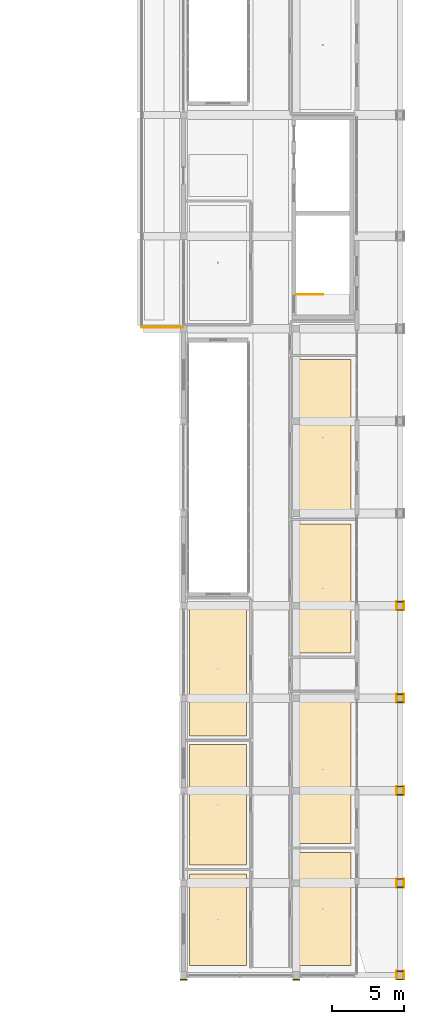
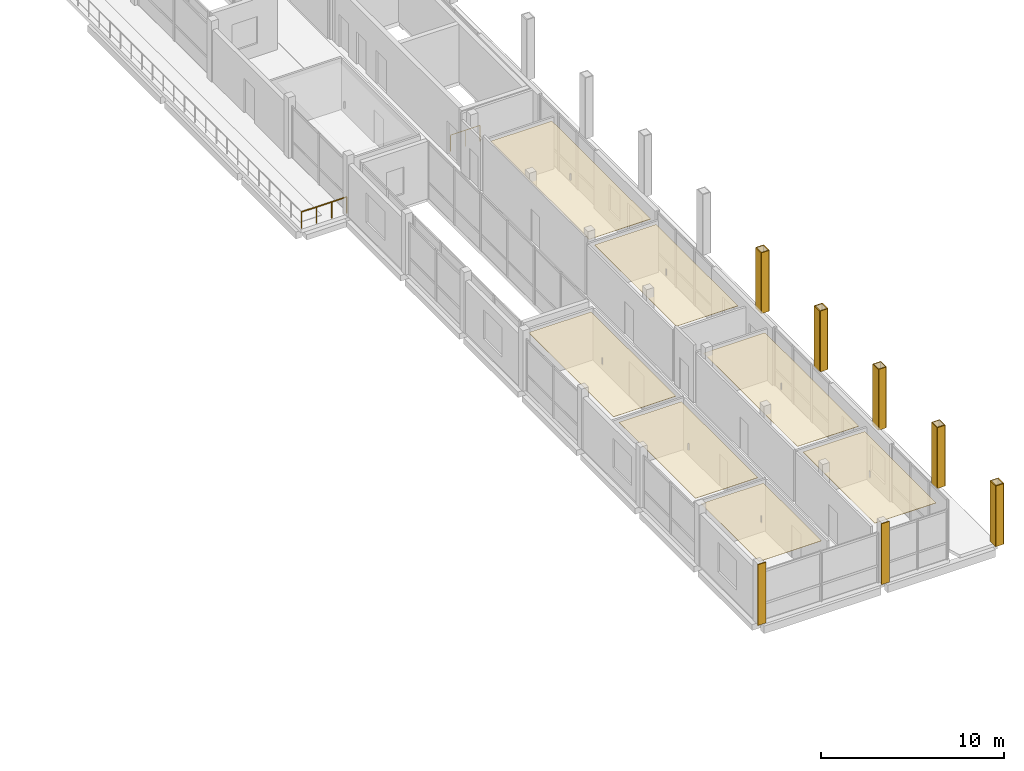
# One storey, part 45 of 48: 29 coverings, 2 railings.
"""IFC4 building model written with IfcOpenShell, lengths in metres."""

from ifc_helpers import new_model, si_unit, derived_unit, direction, frame, origin, origin_2d, place, context, subcontext, project, spatial, polyline, rectangle, circle, outline, extrude, material, layer, layer_set, type_object, element, save


model = new_model("IFC4")

# Units and contexts
model_context = context("Model", 3, precision=1e-05, world=origin(), true_north=direction((0.0, 1.0)))
body_context = subcontext(model_context, "Body", "Model", "MODEL_VIEW")
ifc_project = project(units=[si_unit("LENGTHUNIT", "METRE"), si_unit("AREAUNIT", "SQUARE_METRE"), si_unit("VOLUMEUNIT", "CUBIC_METRE"), si_unit("PLANEANGLEUNIT", "RADIAN"), si_unit("MASSUNIT", "GRAM", prefix="KILO"), derived_unit("THERMALTRANSMITTANCEUNIT", [(si_unit("POWERUNIT", "WATT"), 1), (si_unit("LENGTHUNIT", "METRE"), -2), (si_unit("THERMODYNAMICTEMPERATUREUNIT", "KELVIN"), -1)])], contexts=[model_context])

# Site, building, storey
site_placement = place(None, origin())
site = spatial("IfcSite", under=ifc_project, at=site_placement, CompositionType="ELEMENT")
building_placement = place(site_placement, origin())
building = spatial("IfcBuilding", under=site, at=building_placement, Name="Braskholm Square Health Centre", CompositionType="ELEMENT")
storey_placement = place(building_placement, frame((0.0, 0.0, 17.550048828125)))
storey = spatial("IfcBuildingStorey", under=building, at=storey_placement, Name="L05", CompositionType="ELEMENT", Elevation=17.550048828125)

# Coverings
ifc_material_1 = material(Name="Fire-rated gypsum board barrier")
ifc_layer_1 = layer(ifc_material_1, 0.02490234375)
ifc_layer_set_1 = layer_set([ifc_layer_1], Name="Fire-rated gypsum board barrier")
covering_type_1 = type_object("IfcCoveringType", Name="AcousticClinicalCeilingTile", PredefinedType="CEILING", material=ifc_layer_set_1)
covering_1_placement = place(storey_placement, frame((0.0, 0.0, 3.405029296875)))
element("IfcCovering", 1, at=covering_1_placement, inside=storey, type_object=covering_type_1, Name="Acoustic ceiling L05-270", PredefinedType="CEILING", context=body_context, shape_type="SweptSolid", body=[
    extrude(outline(polyline([(156.5, 4.89990234375), (160.3798828125, 4.89990234375), (160.3798828125, 12.72998046875), (156.5, 12.72998046875), (156.5, 4.89990234375)])), origin(), (0.0, 0.0, 1.0), 0.02490234375),
])
covering_2_placement = place(storey_placement, frame((0.0, 0.0, 3.405029296875)))
element("IfcCovering", 2, at=covering_2_placement, inside=storey, type_object=covering_type_1, Name="Acoustic ceiling L05-271", PredefinedType="CEILING", context=body_context, shape_type="SweptSolid", body=[
    extrude(outline(polyline([(156.5, 13.330078125), (160.3798828125, 13.330078125), (160.3798828125, 23.590087890625), (156.5, 23.590087890625), (156.5, 13.330078125)])), origin(), (0.0, 0.0, 1.0), 0.02490234375),
])
covering_3_placement = place(storey_placement, frame((0.0, 0.0, 3.405029296875)))
element("IfcCovering", 3, at=covering_3_placement, inside=storey, type_object=covering_type_1, Name="Acoustic ceiling L05-273", PredefinedType="CEILING", context=body_context, shape_type="SweptSolid", body=[
    extrude(outline(polyline([(156.5, 26.5400390625), (160.3798828125, 26.5400390625), (160.3798828125, 35.47998046875), (156.5, 35.47998046875), (156.5, 26.5400390625)])), origin(), (0.0, 0.0, 1.0), 0.02490234375),
])
covering_4_placement = place(storey_placement, frame((0.0, 0.0, 3.405029296875)))
element("IfcCovering", 4, at=covering_4_placement, inside=storey, type_object=covering_type_1, Name="Acoustic ceiling L05-274", PredefinedType="CEILING", context=body_context, shape_type="SweptSolid", body=[
    extrude(outline(polyline([(156.5, 36.080078125), (160.3798828125, 36.080078125), (160.3798828125, 46.85009765625), (156.5, 46.85009765625), (156.5, 36.080078125)])), origin(), (0.0, 0.0, 1.0), 0.02490234375),
])
covering_5_placement = place(storey_placement, frame((0.0, 0.0, 3.405029296875)))
element("IfcCovering", 5, at=covering_5_placement, inside=storey, type_object=covering_type_1, Name="Acoustic ceiling L05-284", PredefinedType="CEILING", context=body_context, shape_type="SweptSolid", body=[
    extrude(outline(polyline([(149.219970703125, 4.89990234375), (153.14990234375, 4.89990234375), (153.14990234375, 11.239990234375), (149.219970703125, 11.239990234375), (149.219970703125, 4.89990234375)])), origin(), (0.0, 0.0, 1.0), 0.02490234375),
])
covering_6_placement = place(storey_placement, frame((0.0, 0.0, 3.405029296875)))
element("IfcCovering", 6, at=covering_6_placement, inside=storey, type_object=covering_type_1, Name="Acoustic ceiling L05-285", PredefinedType="CEILING", context=body_context, shape_type="SweptSolid", body=[
    extrude(outline(polyline([(149.219970703125, 11.840087890625), (153.14990234375, 11.840087890625), (153.14990234375, 20.18994140625), (149.219970703125, 20.18994140625), (149.219970703125, 11.840087890625)])), origin(), (0.0, 0.0, 1.0), 0.02490234375),
])
covering_7_placement = place(storey_placement, frame((0.0, 0.0, 3.405029296875)))
element("IfcCovering", 7, at=covering_7_placement, inside=storey, type_object=covering_type_1, Name="Acoustic ceiling L05-286", PredefinedType="CEILING", context=body_context, shape_type="SweptSolid", body=[
    extrude(outline(polyline([(149.219970703125, 20.7900390625), (153.14990234375, 20.7900390625), (153.14990234375, 30.050048828125), (149.219970703125, 30.050048828125), (149.219970703125, 20.7900390625)])), origin(), (0.0, 0.0, 1.0), 0.02490234375),
])

# Railings
ifc_material_2 = material(Name="Dark patinated chevron architectural bronze", Category="aluminium")
railing_type = type_object("IfcRailingType", Name="BronzeChevronGuardrail1100", PredefinedType="GUARDRAIL", material=ifc_material_2)
railing_1_placement = place(storey_placement, frame((156.60009765625, 51.360107421875, 0.0)))
element("IfcRailing", 8, at=railing_1_placement, inside=storey, type_object=railing_type, Name="Stair ST-04 top well guardrail L05", PredefinedType="GUARDRAIL", context=body_context, shape_type="SweptSolid", body=[
    extrude(circle(Radius=0.02392578125, at=origin_2d()), frame((0.0, 0.0, 1.076171875), z_axis=(1.0, 0.0, 0.0), x_axis=(0.0, 1.0, 0.0)), (0.0, 0.0, 1.0), 1.849853515625),
    extrude(circle(Radius=0.02099609375, at=origin_2d()), origin(), (0.0, 0.0, 1.0), 1.052001953125),
    extrude(circle(Radius=0.02099609375, at=origin_2d()), frame((0.9248046875, 0.0, 0.0)), (0.0, 0.0, 1.0), 1.052001953125),
    extrude(circle(Radius=0.02099609375, at=origin_2d()), frame((1.849853515625, 0.0, 0.0)), (0.0, 0.0, 1.0), 1.052001953125),
])
railing_2_placement = place(storey_placement, frame((148.75, 49.10009765625, 0.0)))
element("IfcRailing", 9, at=railing_2_placement, inside=storey, type_object=railing_type, Name="Bronze chevron guardrail 0050 L05", PredefinedType="GUARDRAIL", context=body_context, shape_type="SweptSolid", body=[
    extrude(circle(Radius=0.02392578125, at=origin_2d()), frame((0.0, 0.0, 1.076171875), z_axis=(-1.0, 0.0, 0.0), x_axis=(0.0, -1.0, 0.0)), (0.0, 0.0, 1.0), 2.85009765625),
    extrude(circle(Radius=0.02099609375, at=origin_2d()), origin(), (0.0, 0.0, 1.0), 1.052001953125),
    extrude(circle(Radius=0.02099609375, at=origin_2d()), frame((-0.949951171875, 0.0, 0.0)), (0.0, 0.0, 1.0), 1.052001953125),
    extrude(circle(Radius=0.02099609375, at=origin_2d()), frame((-1.900146484375, 0.0, 0.0)), (0.0, 0.0, 1.0), 1.052001953125),
    extrude(circle(Radius=0.02099609375, at=origin_2d()), frame((-2.85009765625, 0.0, 0.0)), (0.0, 0.0, 1.0), 1.052001953125),
])

# Coverings
ifc_material_3 = material(Name="Precast concrete C40/50 architectural white", Category="concrete")
ifc_layer_2 = layer(ifc_material_3, 0.054931640625)
ifc_layer_set_2 = layer_set([ifc_layer_2], Name="Precast concrete C40/50 architectural white")
covering_type_2 = type_object("IfcCoveringType", Name="PrecastWhiteColumnCasing", PredefinedType="CLADDING", material=ifc_layer_set_2)
for number, where, z_axis, x_axis, name in (
    (10, (148.800048828125, 3.9150390625, 0.0), (0.0, 0.0, 1.0), (1.0, 0.0, 0.0), "Giant-order white precast column casing 0228"),
    (11, (156.60009765625, 3.9150390625, 0.0), (0.0, 0.0, 1.0), (1.0, 0.0, 0.0), "Giant-order white precast column casing 0238"),
):
    element("IfcCovering", number, at=place(storey_placement, frame(where, z_axis=z_axis, x_axis=x_axis)), inside=storey, type_object=covering_type_2, Name=name, PredefinedType="CLADDING", context=body_context, shape_type="SweptSolid", body=[
        extrude(rectangle(XDim=0.5, YDim=0.06005859375, at=origin_2d()), origin(), (0.0, 0.0, 1.0), 4.050048828125),
    ])
for number, where, z_axis, x_axis, name in (
    (12, (163.56494140625, 4.199951171875, 0.0), (0.0, 0.0, 1.0), (1.0, 0.0, 0.0), "Giant-order white precast column casing 0248"),
    (13, (164.034912109375, 4.199951171875, 0.0), (0.0, 0.0, 1.0), (1.0, 0.0, 0.0), "Giant-order white precast column casing 0249"),
):
    element("IfcCovering", number, at=place(storey_placement, frame(where, z_axis=z_axis, x_axis=x_axis)), inside=storey, type_object=covering_type_2, Name=name, PredefinedType="CLADDING", context=body_context, shape_type="SweptSolid", body=[
        extrude(rectangle(XDim=0.06005859375, YDim=0.6201171875, at=origin_2d()), origin(), (0.0, 0.0, 1.0), 4.050048828125),
    ])
for number, where, z_axis, x_axis, name in (
    (14, (163.800048828125, 3.9150390625, 0.0), (0.0, 0.0, 1.0), (1.0, 0.0, 0.0), "Giant-order white precast column casing 0250"),
    (15, (163.800048828125, 4.485107421875, 0.0), (0.0, 0.0, 1.0), (1.0, 0.0, 0.0), "Giant-order white precast column casing 0251"),
):
    element("IfcCovering", number, at=place(storey_placement, frame(where, z_axis=z_axis, x_axis=x_axis)), inside=storey, type_object=covering_type_2, Name=name, PredefinedType="CLADDING", context=body_context, shape_type="SweptSolid", body=[
        extrude(rectangle(XDim=0.4599609375, YDim=0.06005859375, at=origin_2d()), origin(), (0.0, 0.0, 1.0), 4.050048828125),
    ])
for number, where, z_axis, x_axis, name in (
    (16, (163.56494140625, 10.60009765625, 0.0), (0.0, 0.0, 1.0), (1.0, 0.0, 0.0), "Giant-order white precast column casing 0256"),
    (17, (164.034912109375, 10.60009765625, 0.0), (0.0, 0.0, 1.0), (1.0, 0.0, 0.0), "Giant-order white precast column casing 0257"),
):
    element("IfcCovering", number, at=place(storey_placement, frame(where, z_axis=z_axis, x_axis=x_axis)), inside=storey, type_object=covering_type_2, Name=name, PredefinedType="CLADDING", context=body_context, shape_type="SweptSolid", body=[
        extrude(rectangle(XDim=0.06005859375, YDim=0.6201171875, at=origin_2d()), origin(), (0.0, 0.0, 1.0), 4.050048828125),
    ])
for number, where, z_axis, x_axis, name in (
    (18, (163.800048828125, 10.31494140625, 0.0), (0.0, 0.0, 1.0), (1.0, 0.0, 0.0), "Giant-order white precast column casing 0258"),
    (19, (163.800048828125, 10.885009765625, 0.0), (0.0, 0.0, 1.0), (1.0, 0.0, 0.0), "Giant-order white precast column casing 0259"),
):
    element("IfcCovering", number, at=place(storey_placement, frame(where, z_axis=z_axis, x_axis=x_axis)), inside=storey, type_object=covering_type_2, Name=name, PredefinedType="CLADDING", context=body_context, shape_type="SweptSolid", body=[
        extrude(rectangle(XDim=0.4599609375, YDim=0.06005859375, at=origin_2d()), origin(), (0.0, 0.0, 1.0), 4.050048828125),
    ])
for number, where, z_axis, x_axis, name in (
    (20, (163.56494140625, 17.0, 0.0), (0.0, 0.0, 1.0), (1.0, 0.0, 0.0), "Giant-order white precast column casing 0264"),
    (21, (164.034912109375, 17.0, 0.0), (0.0, 0.0, 1.0), (1.0, 0.0, 0.0), "Giant-order white precast column casing 0265"),
):
    element("IfcCovering", number, at=place(storey_placement, frame(where, z_axis=z_axis, x_axis=x_axis)), inside=storey, type_object=covering_type_2, Name=name, PredefinedType="CLADDING", context=body_context, shape_type="SweptSolid", body=[
        extrude(rectangle(XDim=0.06005859375, YDim=0.6201171875, at=origin_2d()), origin(), (0.0, 0.0, 1.0), 4.050048828125),
    ])
for number, where, z_axis, x_axis, name in (
    (22, (163.800048828125, 16.715087890625, 0.0), (0.0, 0.0, 1.0), (1.0, 0.0, 0.0), "Giant-order white precast column casing 0266"),
    (23, (163.800048828125, 17.284912109375, 0.0), (0.0, 0.0, 1.0), (1.0, 0.0, 0.0), "Giant-order white precast column casing 0267"),
):
    element("IfcCovering", number, at=place(storey_placement, frame(where, z_axis=z_axis, x_axis=x_axis)), inside=storey, type_object=covering_type_2, Name=name, PredefinedType="CLADDING", context=body_context, shape_type="SweptSolid", body=[
        extrude(rectangle(XDim=0.4599609375, YDim=0.06005859375, at=origin_2d()), origin(), (0.0, 0.0, 1.0), 4.050048828125),
    ])
for number, where, z_axis, x_axis, name in (
    (24, (163.56494140625, 23.39990234375, 0.0), (0.0, 0.0, 1.0), (1.0, 0.0, 0.0), "Giant-order white precast column casing 0272"),
    (25, (164.034912109375, 23.39990234375, 0.0), (0.0, 0.0, 1.0), (1.0, 0.0, 0.0), "Giant-order white precast column casing 0273"),
):
    element("IfcCovering", number, at=place(storey_placement, frame(where, z_axis=z_axis, x_axis=x_axis)), inside=storey, type_object=covering_type_2, Name=name, PredefinedType="CLADDING", context=body_context, shape_type="SweptSolid", body=[
        extrude(rectangle(XDim=0.06005859375, YDim=0.6201171875, at=origin_2d()), origin(), (0.0, 0.0, 1.0), 4.050048828125),
    ])
for number, where, z_axis, x_axis, name in (
    (26, (163.800048828125, 23.114990234375, 0.0), (0.0, 0.0, 1.0), (1.0, 0.0, 0.0), "Giant-order white precast column casing 0274"),
    (27, (163.800048828125, 23.68505859375, 0.0), (0.0, 0.0, 1.0), (1.0, 0.0, 0.0), "Giant-order white precast column casing 0275"),
):
    element("IfcCovering", number, at=place(storey_placement, frame(where, z_axis=z_axis, x_axis=x_axis)), inside=storey, type_object=covering_type_2, Name=name, PredefinedType="CLADDING", context=body_context, shape_type="SweptSolid", body=[
        extrude(rectangle(XDim=0.4599609375, YDim=0.06005859375, at=origin_2d()), origin(), (0.0, 0.0, 1.0), 4.050048828125),
    ])
for number, where, z_axis, x_axis, name in (
    (28, (163.56494140625, 29.800048828125, 0.0), (0.0, 0.0, 1.0), (1.0, 0.0, 0.0), "Giant-order white precast column casing 0280"),
    (29, (164.034912109375, 29.800048828125, 0.0), (0.0, 0.0, 1.0), (1.0, 0.0, 0.0), "Giant-order white precast column casing 0281"),
):
    element("IfcCovering", number, at=place(storey_placement, frame(where, z_axis=z_axis, x_axis=x_axis)), inside=storey, type_object=covering_type_2, Name=name, PredefinedType="CLADDING", context=body_context, shape_type="SweptSolid", body=[
        extrude(rectangle(XDim=0.06005859375, YDim=0.6201171875, at=origin_2d()), origin(), (0.0, 0.0, 1.0), 4.050048828125),
    ])
for number, where, z_axis, x_axis, name in (
    (30, (163.800048828125, 29.514892578125, 0.0), (0.0, 0.0, 1.0), (1.0, 0.0, 0.0), "Giant-order white precast column casing 0282"),
    (31, (163.800048828125, 30.0849609375, 0.0), (0.0, 0.0, 1.0), (1.0, 0.0, 0.0), "Giant-order white precast column casing 0283"),
):
    element("IfcCovering", number, at=place(storey_placement, frame(where, z_axis=z_axis, x_axis=x_axis)), inside=storey, type_object=covering_type_2, Name=name, PredefinedType="CLADDING", context=body_context, shape_type="SweptSolid", body=[
        extrude(rectangle(XDim=0.4599609375, YDim=0.06005859375, at=origin_2d()), origin(), (0.0, 0.0, 1.0), 4.050048828125),
    ])

save(model, "model.ifc")
